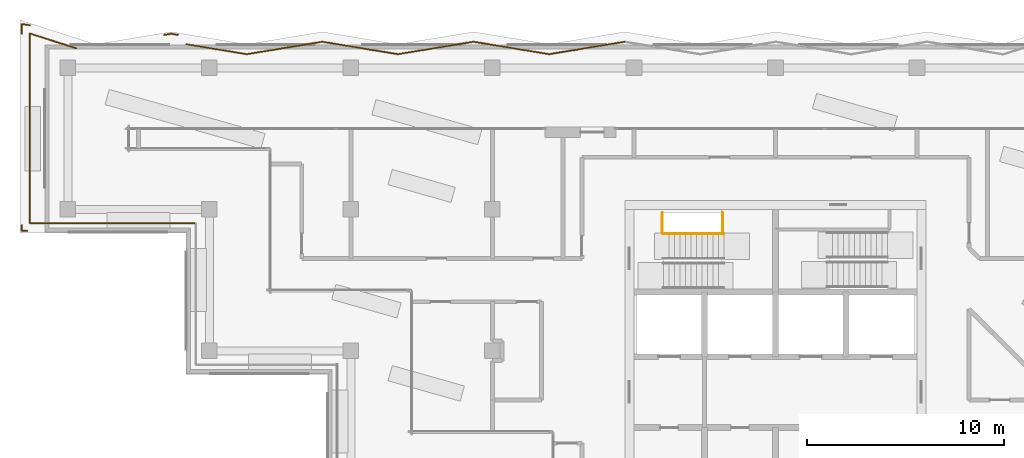
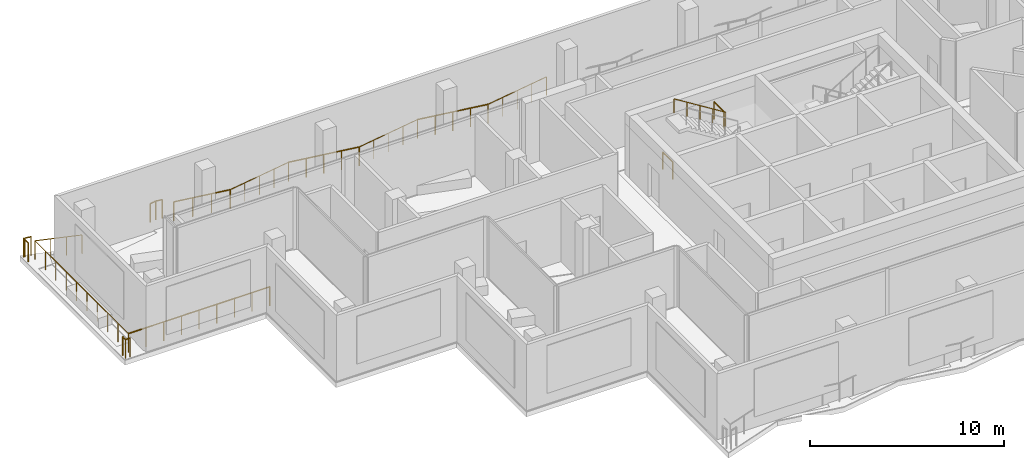
# One storey, part 16 of 19: 18 railings.
"""IFC4 building model written with IfcOpenShell, lengths in metres."""

from ifc_helpers import new_model, si_unit, direction, frame, origin, origin_2d, place, context, subcontext, project, spatial, circle, extrude, material, type_object, element, save


model = new_model("IFC4")

# Units and contexts
model_context = context("Model", 3, precision=1e-05, world=origin(), true_north=direction((0.0, 1.0)))
body_context = subcontext(model_context, "Body", "Model", "MODEL_VIEW")
ifc_project = project(units=[si_unit("LENGTHUNIT", "METRE"), si_unit("AREAUNIT", "SQUARE_METRE"), si_unit("VOLUMEUNIT", "CUBIC_METRE"), si_unit("PLANEANGLEUNIT", "RADIAN"), si_unit("MASSUNIT", "GRAM", prefix="KILO")], contexts=[model_context])

# Site, building, storey
site_placement = place(None, origin())
site = spatial("IfcSite", under=ifc_project, at=site_placement, CompositionType="ELEMENT")
building_placement = place(site_placement, origin())
building = spatial("IfcBuilding", under=site, at=building_placement, Name="Windrow Commons", CompositionType="ELEMENT")
storey_placement = place(building_placement, frame((0.0, 0.0, 230.4)))
storey = spatial("IfcBuildingStorey", under=building, at=storey_placement, Name="L63", CompositionType="ELEMENT", Elevation=230.4)

# Railings
ifc_material_1 = material(Name="Steel S355", Category="steel")
railing_type_1 = type_object("IfcRailingType", Name="Core stair guard 1100", PredefinedType="GUARDRAIL", material=ifc_material_1)
for number, where, name in (
    (1, (59.05, 63.6, 0.0), "L63 ST-A1 stair guard 3"),
    (2, (62.11, 63.6, 2.1), "L63 ST-A1 stair guard 4"),
):
    element("IfcRailing", number, at=place(storey_placement, frame(where)), inside=storey, type_object=railing_type_1, Name=name, PredefinedType="GUARDRAIL", context=body_context, shape_type="SweptSolid", body=[
        extrude(circle(Radius=0.024, at=origin_2d()), frame((0.0, 0.0, 1.076), z_axis=(0.0, 1.0, 0.0), x_axis=(-1.0, 0.0, 0.0)), (0.0, 0.0, 1.0), 1.03),
        extrude(circle(Radius=0.021, at=origin_2d()), origin(), (0.0, 0.0, 1.0), 1.052),
        extrude(circle(Radius=0.021, at=origin_2d()), frame((0.0, 1.03, 0.0)), (0.0, 0.0, 1.0), 1.052),
    ])
ifc_material_2 = material(Name="Steel S355", Category="steel")
railing_type_2 = type_object("IfcRailingType", Name="Core stair handrail 900", PredefinedType="HANDRAIL", material=ifc_material_2)
railing_1_placement = place(storey_placement, frame((62.18, 63.55, 2.275)))
element("IfcRailing", 3, at=railing_1_placement, inside=storey, type_object=railing_type_2, Name="L63 ST-A1 stair handrail 2", PredefinedType="HANDRAIL", context=body_context, shape_type="SweptSolid", body=[
    extrude(circle(Radius=0.024, at=origin_2d()), frame((0.0, 0.0, 0.876), z_axis=(-0.847998304, 0.0, 0.52999894), x_axis=(0.0, -1.0, 0.0)), (0.0, 0.0, 1.0), 3.6321),
    extrude(circle(Radius=0.021, at=origin_2d()), origin(), (0.0, 0.0, 1.0), 0.852),
    extrude(circle(Radius=0.021, at=origin_2d()), frame((-0.77, 0.0, 0.4812)), (0.0, 0.0, 1.0), 0.852),
    extrude(circle(Radius=0.021, at=origin_2d()), frame((-1.54, 0.0, 0.9625)), (0.0, 0.0, 1.0), 0.852),
    extrude(circle(Radius=0.021, at=origin_2d()), frame((-2.31, 0.0, 1.4437)), (0.0, 0.0, 1.0), 0.852),
    extrude(circle(Radius=0.021, at=origin_2d()), frame((-3.08, 0.0, 1.925)), (0.0, 0.0, 1.0), 0.852),
])
ifc_material_3 = material(Name="Stainless steel S316 balustrade with toughened glass infill", Category="steel")
railing_type_3 = type_object("IfcRailingType", Name="Terrace guard 1200 podium", PredefinedType="BALUSTRADE", material=ifc_material_3)
railing_2_placement = place(storey_placement, frame((35.3, 64.1, 0.05)))
element("IfcRailing", 4, at=railing_2_placement, inside=storey, type_object=railing_type_3, Name="Guard TR-L63-1.E12", PredefinedType="BALUSTRADE", context=body_context, shape_type="SweptSolid", body=[
    extrude(circle(Radius=0.025, at=origin_2d()), frame((0.0, 0.0, 1.175), z_axis=(-1.0, 0.0, 0.0), x_axis=(0.0, -1.0, 0.0)), (0.0, 0.0, 1.0), 8.433),
    extrude(circle(Radius=0.02, at=origin_2d()), origin(), (0.0, 0.0, 1.0), 1.15),
    extrude(circle(Radius=0.02, at=origin_2d()), frame((-1.0541, 0.0, 0.0)), (0.0, 0.0, 1.0), 1.15),
    extrude(circle(Radius=0.02, at=origin_2d()), frame((-2.1082, 0.0, 0.0)), (0.0, 0.0, 1.0), 1.15),
    extrude(circle(Radius=0.02, at=origin_2d()), frame((-3.1624, 0.0, 0.0)), (0.0, 0.0, 1.0), 1.15),
    extrude(circle(Radius=0.02, at=origin_2d()), frame((-4.2165, 0.0, 0.0)), (0.0, 0.0, 1.0), 1.15),
    extrude(circle(Radius=0.02, at=origin_2d()), frame((-5.2706, 0.0, 0.0)), (0.0, 0.0, 1.0), 1.15),
    extrude(circle(Radius=0.02, at=origin_2d()), frame((-6.3247, 0.0, 0.0)), (0.0, 0.0, 1.0), 1.15),
    extrude(circle(Radius=0.02, at=origin_2d()), frame((-7.3789, 0.0, 0.0)), (0.0, 0.0, 1.0), 1.15),
    extrude(circle(Radius=0.02, at=origin_2d()), frame((-8.433, 0.0, 0.0)), (0.0, 0.0, 1.0), 1.15),
])
railing_3_placement = place(storey_placement, frame((26.867, 64.1, 0.05)))
element("IfcRailing", 5, at=railing_3_placement, inside=storey, type_object=railing_type_3, Name="Guard TR-L63-1.E13", PredefinedType="BALUSTRADE", context=body_context, shape_type="SweptSolid", body=[
    extrude(circle(Radius=0.025, at=origin_2d()), frame((0.0, 0.0, 1.175), z_axis=(0.0, 1.0, 0.0), x_axis=(-1.0, 0.0, 0.0)), (0.0, 0.0, 1.0), 9.6476),
    extrude(circle(Radius=0.02, at=origin_2d()), origin(), (0.0, 0.0, 1.0), 1.15),
    extrude(circle(Radius=0.02, at=origin_2d()), frame((0.0, 1.072, 0.0)), (0.0, 0.0, 1.0), 1.15),
    extrude(circle(Radius=0.02, at=origin_2d()), frame((0.0, 2.1439, 0.0)), (0.0, 0.0, 1.0), 1.15),
    extrude(circle(Radius=0.02, at=origin_2d()), frame((0.0, 3.2159, 0.0)), (0.0, 0.0, 1.0), 1.15),
    extrude(circle(Radius=0.02, at=origin_2d()), frame((0.0, 4.2878, 0.0)), (0.0, 0.0, 1.0), 1.15),
    extrude(circle(Radius=0.02, at=origin_2d()), frame((0.0, 5.3598, 0.0)), (0.0, 0.0, 1.0), 1.15),
    extrude(circle(Radius=0.02, at=origin_2d()), frame((0.0, 6.4317, 0.0)), (0.0, 0.0, 1.0), 1.15),
    extrude(circle(Radius=0.02, at=origin_2d()), frame((0.0, 7.5037, 0.0)), (0.0, 0.0, 1.0), 1.15),
    extrude(circle(Radius=0.02, at=origin_2d()), frame((0.0, 8.5756, 0.0)), (0.0, 0.0, 1.0), 1.15),
    extrude(circle(Radius=0.02, at=origin_2d()), frame((0.0, 9.6476, 0.0)), (0.0, 0.0, 1.0), 1.15),
])
railing_4_placement = place(storey_placement, frame((26.867, 73.7476, 0.05)))
element("IfcRailing", 6, at=railing_4_placement, inside=storey, type_object=railing_type_3, Name="Guard TR-L63-1.E14", PredefinedType="BALUSTRADE", context=body_context, shape_type="SweptSolid", body=[
    extrude(circle(Radius=0.025, at=origin_2d()), frame((0.0, 0.0, 1.175), z_axis=(0.9522461879, -0.3053312915, 0.0), x_axis=(0.3053312915, 0.9522461879, 0.0)), (0.0, 0.0, 1.0), 2.4881),
    extrude(circle(Radius=0.02, at=origin_2d()), origin(), (0.0, 0.0, 1.0), 1.15),
    extrude(circle(Radius=0.02, at=origin_2d()), frame((0.7898, -0.2532, 0.0)), (0.0, 0.0, 1.0), 1.15),
    extrude(circle(Radius=0.02, at=origin_2d()), frame((1.5795, -0.5065, 0.0)), (0.0, 0.0, 1.0), 1.15),
    extrude(circle(Radius=0.02, at=origin_2d()), frame((2.3693, -0.7597, 0.0)), (0.0, 0.0, 1.0), 1.15),
])
railing_5_placement = place(storey_placement, frame((34.83, 73.1992, 0.05)))
element("IfcRailing", 7, at=railing_5_placement, inside=storey, type_object=railing_type_3, Name="Guard TR-L63-1.E15", PredefinedType="BALUSTRADE", context=body_context, shape_type="SweptSolid", body=[
    extrude(circle(Radius=0.025, at=origin_2d()), frame((0.0, 0.0, 1.175), z_axis=(0.9867216691, -0.1624202812, 0.0), x_axis=(0.1624202812, 0.9867216691, 0.0)), (0.0, 0.0, 1.0), 3.1148),
    extrude(circle(Radius=0.02, at=origin_2d()), origin(), (0.0, 0.0, 1.0), 1.15),
    extrude(circle(Radius=0.02, at=origin_2d()), frame((1.0245, -0.1686, 0.0)), (0.0, 0.0, 1.0), 1.15),
    extrude(circle(Radius=0.02, at=origin_2d()), frame((2.0489, -0.3373, 0.0)), (0.0, 0.0, 1.0), 1.15),
    extrude(circle(Radius=0.02, at=origin_2d()), frame((3.0734, -0.5059, 0.0)), (0.0, 0.0, 1.0), 1.15),
])
railing_6_placement = place(storey_placement, frame((37.9034, 72.6933, 0.05)))
element("IfcRailing", 8, at=railing_6_placement, inside=storey, type_object=railing_type_3, Name="Guard TR-L63-1.E16", PredefinedType="BALUSTRADE", context=body_context, shape_type="SweptSolid", body=[
    extrude(circle(Radius=0.025, at=origin_2d()), frame((0.0, 0.0, 1.175), z_axis=(0.9867213513, 0.1624222118, 0.0), x_axis=(-0.1624222118, 0.9867213513, 0.0)), (0.0, 0.0, 1.0), 3.8973),
    extrude(circle(Radius=0.02, at=origin_2d()), origin(), (0.0, 0.0, 1.0), 1.15),
    extrude(circle(Radius=0.02, at=origin_2d()), frame((0.9614, 0.1583, 0.0)), (0.0, 0.0, 1.0), 1.15),
    extrude(circle(Radius=0.02, at=origin_2d()), frame((1.9228, 0.3165, 0.0)), (0.0, 0.0, 1.0), 1.15),
    extrude(circle(Radius=0.02, at=origin_2d()), frame((2.8841, 0.4748, 0.0)), (0.0, 0.0, 1.0), 1.15),
    extrude(circle(Radius=0.02, at=origin_2d()), frame((3.8455, 0.633, 0.0)), (0.0, 0.0, 1.0), 1.15),
])
railing_7_placement = place(storey_placement, frame((41.7489, 73.3263, 0.05)))
element("IfcRailing", 9, at=railing_7_placement, inside=storey, type_object=railing_type_3, Name="Guard TR-L63-1.E17", PredefinedType="BALUSTRADE", context=body_context, shape_type="SweptSolid", body=[
    extrude(circle(Radius=0.025, at=origin_2d()), frame((0.0, 0.0, 1.175), z_axis=(0.9867213513, -0.1624222118, 0.0), x_axis=(0.1624222118, 0.9867213513, 0.0)), (0.0, 0.0, 1.0), 3.8973),
    extrude(circle(Radius=0.02, at=origin_2d()), origin(), (0.0, 0.0, 1.0), 1.15),
    extrude(circle(Radius=0.02, at=origin_2d()), frame((0.9614, -0.1583, 0.0)), (0.0, 0.0, 1.0), 1.15),
    extrude(circle(Radius=0.02, at=origin_2d()), frame((1.9228, -0.3165, 0.0)), (0.0, 0.0, 1.0), 1.15),
    extrude(circle(Radius=0.02, at=origin_2d()), frame((2.8841, -0.4748, 0.0)), (0.0, 0.0, 1.0), 1.15),
    extrude(circle(Radius=0.02, at=origin_2d()), frame((3.8455, -0.633, 0.0)), (0.0, 0.0, 1.0), 1.15),
])
railing_8_placement = place(storey_placement, frame((45.5944, 72.6933, 0.05)))
element("IfcRailing", 10, at=railing_8_placement, inside=storey, type_object=railing_type_3, Name="Guard TR-L63-1.E18", PredefinedType="BALUSTRADE", context=body_context, shape_type="SweptSolid", body=[
    extrude(circle(Radius=0.025, at=origin_2d()), frame((0.0, 0.0, 1.175), z_axis=(0.9867206744, 0.1624263241, 0.0), x_axis=(-0.1624263241, 0.9867206744, 0.0)), (0.0, 0.0, 1.0), 3.8972),
    extrude(circle(Radius=0.02, at=origin_2d()), origin(), (0.0, 0.0, 1.0), 1.15),
    extrude(circle(Radius=0.02, at=origin_2d()), frame((0.9613, 0.1583, 0.0)), (0.0, 0.0, 1.0), 1.15),
    extrude(circle(Radius=0.02, at=origin_2d()), frame((1.9227, 0.3165, 0.0)), (0.0, 0.0, 1.0), 1.15),
    extrude(circle(Radius=0.02, at=origin_2d()), frame((2.884, 0.4748, 0.0)), (0.0, 0.0, 1.0), 1.15),
    extrude(circle(Radius=0.02, at=origin_2d()), frame((3.8454, 0.633, 0.0)), (0.0, 0.0, 1.0), 1.15),
])
railing_9_placement = place(storey_placement, frame((49.4398, 73.3263, 0.05)))
element("IfcRailing", 11, at=railing_9_placement, inside=storey, type_object=railing_type_3, Name="Guard TR-L63-1.E19", PredefinedType="BALUSTRADE", context=body_context, shape_type="SweptSolid", body=[
    extrude(circle(Radius=0.025, at=origin_2d()), frame((0.0, 0.0, 1.175), z_axis=(0.9867213513, -0.1624222118, 0.0), x_axis=(0.1624222118, 0.9867213513, 0.0)), (0.0, 0.0, 1.0), 3.8973),
    extrude(circle(Radius=0.02, at=origin_2d()), origin(), (0.0, 0.0, 1.0), 1.15),
    extrude(circle(Radius=0.02, at=origin_2d()), frame((0.9614, -0.1583, 0.0)), (0.0, 0.0, 1.0), 1.15),
    extrude(circle(Radius=0.02, at=origin_2d()), frame((1.9228, -0.3165, 0.0)), (0.0, 0.0, 1.0), 1.15),
    extrude(circle(Radius=0.02, at=origin_2d()), frame((2.8841, -0.4748, 0.0)), (0.0, 0.0, 1.0), 1.15),
    extrude(circle(Radius=0.02, at=origin_2d()), frame((3.8455, -0.633, 0.0)), (0.0, 0.0, 1.0), 1.15),
])
railing_10_placement = place(storey_placement, frame((53.2853, 72.6933, 0.05)))
element("IfcRailing", 12, at=railing_10_placement, inside=storey, type_object=railing_type_3, Name="Guard TR-L63-1.E20", PredefinedType="BALUSTRADE", context=body_context, shape_type="SweptSolid", body=[
    extrude(circle(Radius=0.025, at=origin_2d()), frame((0.0, 0.0, 1.175), z_axis=(0.9867213513, 0.1624222118, 0.0), x_axis=(-0.1624222118, 0.9867213513, 0.0)), (0.0, 0.0, 1.0), 3.8973),
    extrude(circle(Radius=0.02, at=origin_2d()), origin(), (0.0, 0.0, 1.0), 1.15),
    extrude(circle(Radius=0.02, at=origin_2d()), frame((0.9614, 0.1583, 0.0)), (0.0, 0.0, 1.0), 1.15),
    extrude(circle(Radius=0.02, at=origin_2d()), frame((1.9228, 0.3165, 0.0)), (0.0, 0.0, 1.0), 1.15),
    extrude(circle(Radius=0.02, at=origin_2d()), frame((2.8841, 0.4748, 0.0)), (0.0, 0.0, 1.0), 1.15),
    extrude(circle(Radius=0.02, at=origin_2d()), frame((3.8455, 0.633, 0.0)), (0.0, 0.0, 1.0), 1.15),
])
railing_11_placement = place(storey_placement, frame((33.703, 73.6732, 0.05)))
element("IfcRailing", 13, at=railing_11_placement, inside=storey, type_object=railing_type_3, Name="Guard TR-L63-1.C209", PredefinedType="BALUSTRADE", context=body_context, shape_type="SweptSolid", body=[
    extrude(circle(Radius=0.025, at=origin_2d()), frame((0.0, 0.0, 1.175), z_axis=(0.9867011313, 0.1625450013, 0.0), x_axis=(-0.1625450013, 0.9867011313, 0.0)), (0.0, 0.0, 1.0), 0.3587),
    extrude(circle(Radius=0.02, at=origin_2d()), origin(), (0.0, 0.0, 1.0), 1.15),
    extrude(circle(Radius=0.02, at=origin_2d()), frame((0.3539, 0.0583, 0.0)), (0.0, 0.0, 1.0), 1.15),
])
railing_12_placement = place(storey_placement, frame((34.0569, 73.7315, 0.05)))
element("IfcRailing", 14, at=railing_12_placement, inside=storey, type_object=railing_type_3, Name="Guard TR-L63-1.C210", PredefinedType="BALUSTRADE", context=body_context, shape_type="SweptSolid", body=[
    extrude(circle(Radius=0.025, at=origin_2d()), frame((0.0, 0.0, 1.175), z_axis=(0.9868794306, -0.1614589405, 0.0), x_axis=(0.1614589405, 0.9868794306, 0.0)), (0.0, 0.0, 1.0), 0.3586),
    extrude(circle(Radius=0.02, at=origin_2d()), origin(), (0.0, 0.0, 1.0), 1.15),
    extrude(circle(Radius=0.02, at=origin_2d()), frame((0.3539, -0.0579, 0.0)), (0.0, 0.0, 1.0), 1.15),
])
railing_13_placement = place(storey_placement, frame((26.467, 73.7397, 0.05)))
element("IfcRailing", 15, at=railing_13_placement, inside=storey, type_object=railing_type_3, Name="Guard TR-L63-1.C211", PredefinedType="BALUSTRADE", context=body_context, shape_type="SweptSolid", body=[
    extrude(circle(Radius=0.025, at=origin_2d()), frame((0.0, 0.0, 1.175), z_axis=(0.0, 1.0, 0.0), x_axis=(-1.0, 0.0, 0.0)), (0.0, 0.0, 1.0), 0.4881),
    extrude(circle(Radius=0.02, at=origin_2d()), origin(), (0.0, 0.0, 1.0), 1.15),
    extrude(circle(Radius=0.02, at=origin_2d()), frame((0.0, 0.4881, 0.0)), (0.0, 0.0, 1.0), 1.15),
])
railing_14_placement = place(storey_placement, frame((26.527, 74.2188, 0.05)))
element("IfcRailing", 16, at=railing_14_placement, inside=storey, type_object=railing_type_3, Name="Guard TR-L63-1.C212", PredefinedType="BALUSTRADE", context=body_context, shape_type="SweptSolid", body=[
    extrude(circle(Radius=0.025, at=origin_2d()), frame((0.0, 0.0, 1.175), z_axis=(0.9888872168, -0.1486676575, 0.0), x_axis=(0.1486676575, 0.9888872168, 0.0)), (0.0, 0.0, 1.0), 0.3437),
    extrude(circle(Radius=0.02, at=origin_2d()), origin(), (0.0, 0.0, 1.0), 1.15),
    extrude(circle(Radius=0.02, at=origin_2d()), frame((0.3399, -0.0511, 0.0)), (0.0, 0.0, 1.0), 1.15),
])
railing_15_placement = place(storey_placement, frame((26.7308, 63.7, 0.05)))
element("IfcRailing", 17, at=railing_15_placement, inside=storey, type_object=railing_type_3, Name="Guard TR-L63-1.C213", PredefinedType="BALUSTRADE", context=body_context, shape_type="SweptSolid", body=[
    extrude(circle(Radius=0.025, at=origin_2d()), frame((0.0, 0.0, 1.175), z_axis=(-0.9990838214, 0.0427962365, 0.0), x_axis=(-0.0427962365, -0.9990838214, 0.0)), (0.0, 0.0, 1.0), 0.264),
    extrude(circle(Radius=0.02, at=origin_2d()), origin(), (0.0, 0.0, 1.0), 1.15),
    extrude(circle(Radius=0.02, at=origin_2d()), frame((-0.2638, 0.0113, 0.0)), (0.0, 0.0, 1.0), 1.15),
])
railing_16_placement = place(storey_placement, frame((26.467, 63.7113, 0.05)))
element("IfcRailing", 18, at=railing_16_placement, inside=storey, type_object=railing_type_3, Name="Guard TR-L63-1.C214", PredefinedType="BALUSTRADE", context=body_context, shape_type="SweptSolid", body=[
    extrude(circle(Radius=0.025, at=origin_2d()), frame((0.0, 0.0, 1.175), z_axis=(0.0, 1.0, 0.0), x_axis=(-1.0, 0.0, 0.0)), (0.0, 0.0, 1.0), 0.2751),
    extrude(circle(Radius=0.02, at=origin_2d()), origin(), (0.0, 0.0, 1.0), 1.15),
    extrude(circle(Radius=0.02, at=origin_2d()), frame((0.0, 0.2751, 0.0)), (0.0, 0.0, 1.0), 1.15),
])

save(model, "model.ifc")
